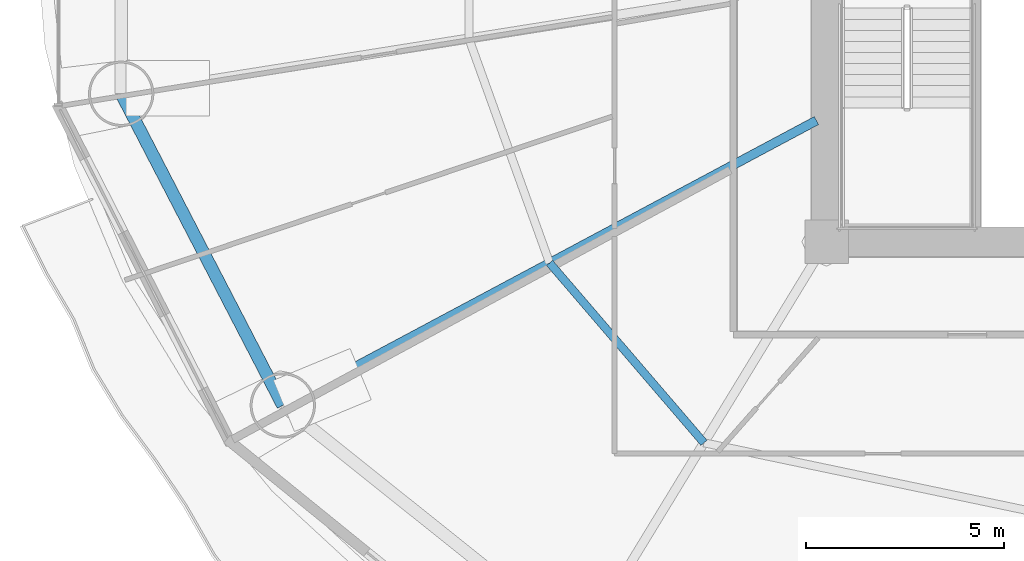
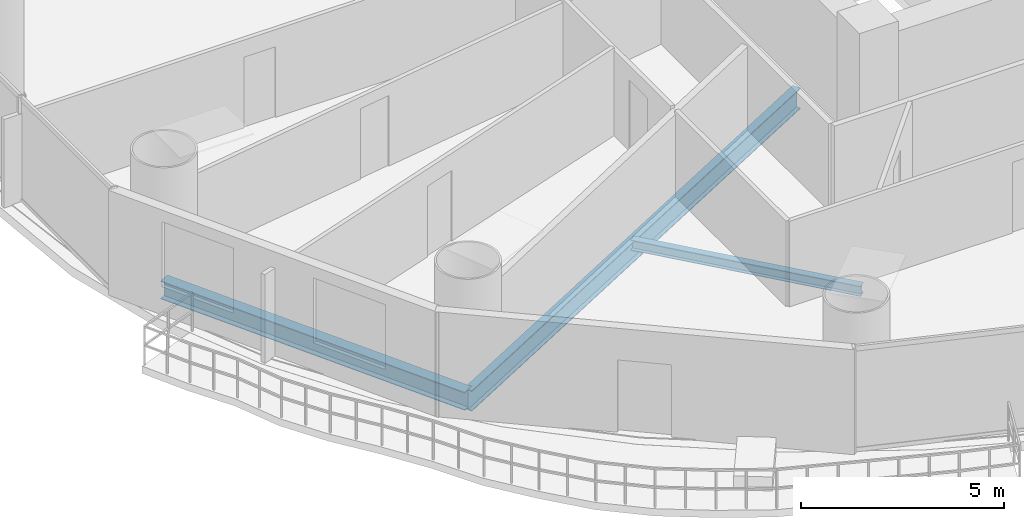
# One storey, part 3 of 29: 3 beams.
"""IFC4 building model written with IfcOpenShell, lengths in metres."""

from ifc_helpers import new_model, si_unit, direction, frame, origin, origin_2d, place, context, subcontext, project, spatial, i_section, extrude, material, material_profile, profile_set, type_object, element, save


model = new_model("IFC4")

# Units and contexts
model_context = context("Model", 3, precision=1e-05, world=origin(), true_north=direction((-0.2419218956, 0.970295726276)))
body_context = subcontext(model_context, "Body", "Model", "MODEL_VIEW")
ifc_project = project(units=[si_unit("LENGTHUNIT", "METRE"), si_unit("AREAUNIT", "SQUARE_METRE"), si_unit("VOLUMEUNIT", "CUBIC_METRE"), si_unit("PLANEANGLEUNIT", "RADIAN"), si_unit("MASSUNIT", "GRAM", prefix="KILO")], contexts=[model_context])

# Site, building, storey
site_placement = place(None, origin())
site = spatial("IfcSite", under=ifc_project, at=site_placement, CompositionType="ELEMENT")
building_placement = place(site_placement, origin())
building = spatial("IfcBuilding", under=site, at=building_placement, Name="Cobrevalo Terracotta Tower", CompositionType="ELEMENT")
storey_placement = place(building_placement, frame((0.0, 0.0, 70.800048828125)))
storey = spatial("IfcBuildingStorey", under=building, at=storey_placement, Name="L18", CompositionType="ELEMENT", Elevation=70.800048828125)

# Beams
ifc_material = material(Name="Steel S355", Category="steel")
ifc_material_profile_1 = material_profile(ifc_material, i_section(OverallWidth=0.22998046875, OverallDepth=0.616943359375, WebThickness=0.01318359375, FlangeThickness=0.022216796875, at=origin_2d()), Name="W 610x140")
ifc_profile_set_1 = profile_set([ifc_material_profile_1], Name="Steel S355")
beam_type_1 = type_object("IfcBeamType", Name="Structural Beam W 610x140 (Steel S355)", PredefinedType="BEAM", material=ifc_profile_set_1)
beam_1_placement = place(storey_placement, frame((15.25927734375, 14.660888671875, -0.588623046875), z_axis=(0.88218223571, 0.470908168329, 0.0), x_axis=(-0.470908168329, 0.88218223571, 0.0)))
element("IfcBeam", 1, at=beam_1_placement, inside=storey, type_object=beam_type_1, Name="L18 radial floor girder 10", PredefinedType="BEAM", context=body_context, shape_type="SweptSolid", body=[
    extrude(i_section(OverallWidth=0.22998046875, OverallDepth=0.616943359375, WebThickness=0.01318359375, FlangeThickness=0.022216796875, at=origin_2d()), origin(), (0.0, 0.0, 1.0), 15.286865234375),
])
ifc_material_profile_2 = material_profile(ifc_material, i_section(OverallWidth=0.2041015625, OverallDepth=0.305908203125, WebThickness=0.008544921875, FlangeThickness=0.0146484375, at=origin_2d()), Name="W 310x67")
ifc_profile_set_2 = profile_set([ifc_material_profile_2], Name="Steel S355")
beam_type_2 = type_object("IfcBeamType", Name="Structural Joist W 310x67 (Steel S355)", PredefinedType="JOIST", material=ifc_profile_set_2)
beam_2_placement = place(storey_placement, frame((22.002197265625, 18.26025390625, -0.43310546875), z_axis=(0.651328404454, -0.758795960421, 0.0), x_axis=(0.758795960421, 0.651328404454, 0.0)))
element("IfcBeam", 2, at=beam_2_placement, inside=storey, type_object=beam_type_2, Name="L18 circumferential secondary floor joist 10", PredefinedType="JOIST", context=body_context, shape_type="SweptSolid", body=[
    extrude(i_section(OverallWidth=0.2041015625, OverallDepth=0.305908203125, WebThickness=0.008544921875, FlangeThickness=0.0146484375, at=origin_2d()), origin(), (0.0, 0.0, 1.0), 5.98828125),
])
ifc_material_profile_3 = material_profile(ifc_material, i_section(OverallWidth=0.31201171875, OverallDepth=0.54296875, WebThickness=0.0126953125, FlangeThickness=0.020263671875, at=origin_2d()), Name="W 530x150")
ifc_profile_set_3 = profile_set([ifc_material_profile_3], Name="Steel S355")
beam_type_3 = type_object("IfcBeamType", Name="Structural Spandrel W 530x150 (Steel S355)", PredefinedType="SPANDREL", material=ifc_profile_set_3)
beam_3_placement = place(storey_placement, frame((11.175537109375, 22.537353515625, -0.551513671875), z_axis=(0.460285838799, -0.88777077368, 0.0), x_axis=(0.88777077368, 0.460285838799, 0.0)))
element("IfcBeam", 3, at=beam_3_placement, inside=storey, type_object=beam_type_3, Name="L18 perimeter ring spandrel 09", PredefinedType="SPANDREL", context=body_context, shape_type="SweptSolid", body=[
    extrude(i_section(OverallWidth=0.31201171875, OverallDepth=0.54296875, WebThickness=0.0126953125, FlangeThickness=0.020263671875, at=origin_2d()), origin(), (0.0, 0.0, 1.0), 8.8720703125),
])

save(model, "model.ifc")
